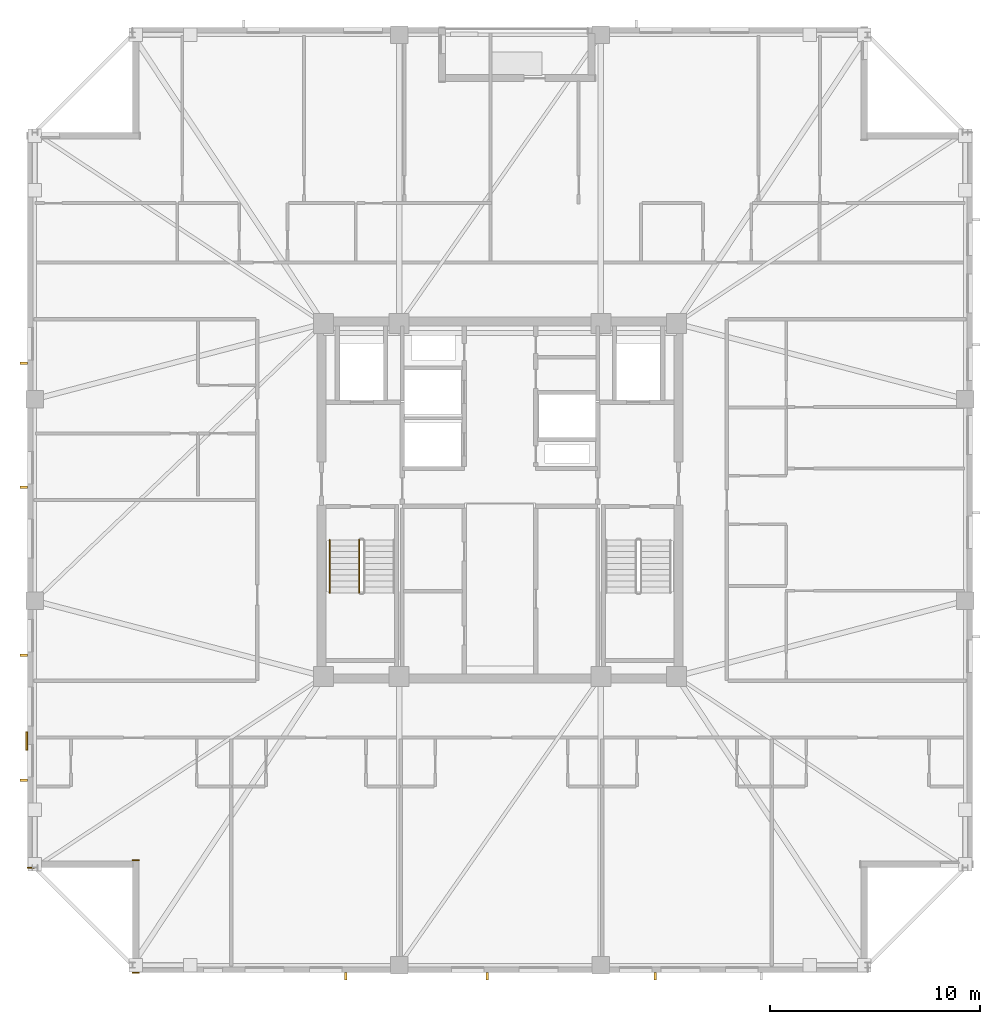
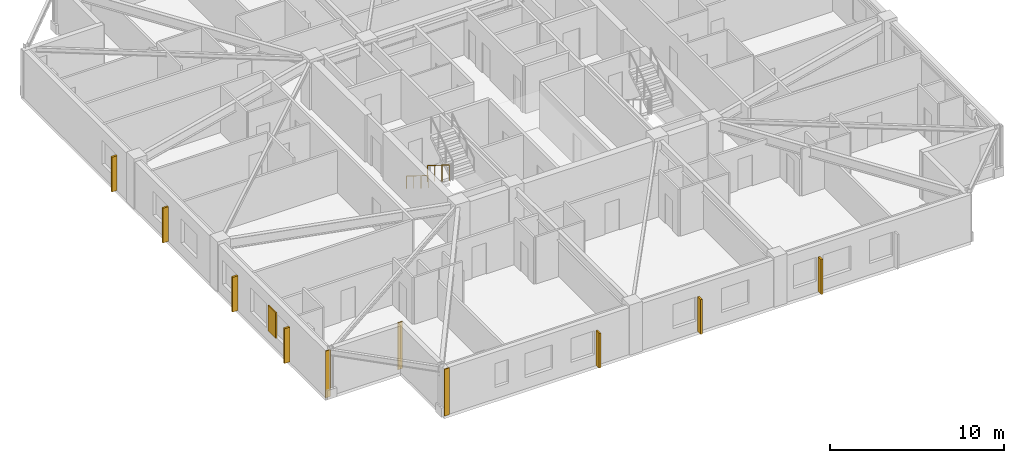
# One storey, part 13 of 17: 8 shading devices, 3 coverings, 2 railings.
"""IFC4 building model written with IfcOpenShell, lengths in metres."""

from ifc_helpers import new_model, si_unit, direction, frame, frame_2d, origin, origin_2d, place, context, subcontext, project, spatial, rectangle, circle, extrude, material, layer, layer_set, type_object, element, save


model = new_model("IFC4")

# Units and contexts
model_context = context("Model", 3, precision=1e-05, world=origin(), true_north=direction((0.0, 1.0)))
body_context = subcontext(model_context, "Body", "Model", "MODEL_VIEW")
ifc_project = project(units=[si_unit("LENGTHUNIT", "METRE"), si_unit("AREAUNIT", "SQUARE_METRE"), si_unit("VOLUMEUNIT", "CUBIC_METRE"), si_unit("PLANEANGLEUNIT", "RADIAN"), si_unit("MASSUNIT", "GRAM", prefix="KILO")], contexts=[model_context])

# Site, building, storey
site_placement = place(None, origin())
site = spatial("IfcSite", under=ifc_project, at=site_placement, CompositionType="ELEMENT")
building_placement = place(site_placement, origin())
building = spatial("IfcBuilding", under=site, at=building_placement, Name="Cairnveth Concourse Tower", CompositionType="ELEMENT")
storey_placement = place(building_placement, frame((0.0, 0.0, 213.0)))
storey = spatial("IfcBuildingStorey", under=building, at=storey_placement, Name="L58", CompositionType="ELEMENT", Elevation=213.0)

# Coverings
ifc_material_1 = material(Name="Dressed Melbourne Bluestone Cladding", Category="masonry")
ifc_layer = layer(ifc_material_1, 0.050048828125)
ifc_layer_set = layer_set([ifc_layer], Name="Dressed Melbourne Bluestone Cladding")
covering_type = type_object("IfcCoveringType", Name="DRESSED BLUESTONE PLINTH CLADDING 50", PredefinedType="CLADDING", material=ifc_layer_set)
for number, where, z_axis, x_axis, name in (
    (1, (34.820068359375, 16.47998046875, 0.0), (0.0, 0.0, 1.0), (-1.0, 0.0, 0.0), "Melbourne Bluestone Corner Quoin L58-870"),
    (2, (34.820068359375, 21.840087890625, 0.0), (0.0, 0.0, 1.0), (-1.0, 0.0, 0.0), "Melbourne Bluestone Corner Quoin L58-871"),
    (3, (29.820068359375, 21.47998046875, 0.0), (0.0, 0.0, 1.0), (-1.0, 0.0, 0.0), "Melbourne Bluestone Corner Quoin L58-872"),
):
    element("IfcCovering", number, at=place(storey_placement, frame(where, z_axis=z_axis, x_axis=x_axis)), inside=storey, type_object=covering_type, Name=name, PredefinedType="CLADDING", context=body_context, shape_type="SweptSolid", body=[
        extrude(rectangle(XDim=0.320068359375, YDim=0.050048828125, at=frame_2d((0.16015625, 0.0))), origin(), (0.0, 0.0, 1.0), 3.2900390625),
    ])

# Shading devices
ifc_material_2 = material(Name="Architectural Bronze Anodised Aluminium 6063-T6", Category="aluminium")
shading_device_type_1 = type_object("IfcShadingDeviceType", Name="GOTHIC BRONZE VERTICAL LANCET FIN", PredefinedType="USERDEFINED", material=ifc_material_2)
for number, where, z_axis, x_axis, name in (
    (4, (59.39697265625, 16.324951171875, 0.030029296875), (0.0, 0.0, 1.0), (1.0, 0.0, 0.0), "Gothic Bronze Vertical Fin L58-6-3"),
    (5, (51.396484375, 16.324951171875, 0.030029296875), (0.0, 0.0, 1.0), (1.0, 0.0, 0.0), "Gothic Bronze Vertical Fin L58-6-5"),
    (6, (44.64599609375, 16.324951171875, 0.030029296875), (0.0, 0.0, 1.0), (1.0, 0.0, 0.0), "Gothic Bronze Vertical Fin L58-6-7"),
    (7, (29.324951171875, 25.652587890625, 0.030029296875), (0.0, 0.0, 1.0), (0.0, 1.0, 0.0), "Gothic Bronze Vertical Fin L58-9-1"),
    (8, (29.324951171875, 31.60302734375, 0.030029296875), (0.0, 0.0, 1.0), (0.0, 1.0, 0.0), "Gothic Bronze Vertical Fin L58-9-3"),
    (9, (29.324951171875, 39.603515625, 0.030029296875), (0.0, 0.0, 1.0), (0.0, 1.0, 0.0), "Gothic Bronze Vertical Fin L58-9-5"),
    (10, (29.324951171875, 45.504150390625, 0.030029296875), (0.0, 0.0, 1.0), (0.0, 1.0, 0.0), "Gothic Bronze Vertical Fin L58-9-7"),
):
    element("IfcShadingDevice", number, at=place(storey_placement, frame(where, z_axis=z_axis, x_axis=x_axis)), inside=storey, type_object=shading_device_type_1, Name=name, ObjectType="VERTICAL FIN", PredefinedType="USERDEFINED", context=body_context, shape_type="SweptSolid", body=[
        extrude(rectangle(XDim=0.1201171875, YDim=0.360107421875, at=origin_2d()), origin(), (0.0, 0.0, 1.0), 2.43798828125),
    ])

# Railings
ifc_material_3 = material(Name="Steel Grade 350", Category="steel")
railing_type_1 = type_object("IfcRailingType", Name="STAIR GUARDRAIL 1150", PredefinedType="GUARDRAIL", material=ifc_material_3)
railing_1_placement = place(storey_placement, frame((45.2900390625, 37.10009765625, 0.175048828125)))
element("IfcRailing", 11, at=railing_1_placement, inside=storey, type_object=railing_type_1, Name="L58 ST-1 stair guard 1", PredefinedType="GUARDRAIL", context=body_context, shape_type="SweptSolid", body=[
    extrude(circle(Radius=0.02392578125, at=origin_2d()), frame((0.0, 0.0, 1.1259765625), z_axis=(0.0, -0.848007534815, 0.529984170421), x_axis=(1.0, 0.0, 0.0)), (0.0, 0.0, 1.0), 2.9716796875),
    extrude(circle(Radius=0.02099609375, at=origin_2d()), origin(), (0.0, 0.0, 1.0), 1.101806640625),
    extrude(circle(Radius=0.02099609375, at=origin_2d()), frame((0.0, -0.840087890625, 0.52490234375)), (0.0, 0.0, 1.0), 1.101806640625),
    extrude(circle(Radius=0.02099609375, at=origin_2d()), frame((0.0, -1.679931640625, 1.050048828125)), (0.0, 0.0, 1.0), 1.101806640625),
    extrude(circle(Radius=0.02099609375, at=origin_2d()), frame((0.0, -2.52001953125, 1.574951171875)), (0.0, 0.0, 1.0), 1.101806640625),
])
railing_type_2 = type_object("IfcRailingType", Name="STAIR WALL HANDRAIL 900", PredefinedType="HANDRAIL", material=ifc_material_3)
railing_2_placement = place(storey_placement, frame((43.889892578125, 37.10009765625, 0.175048828125)))
element("IfcRailing", 12, at=railing_2_placement, inside=storey, type_object=railing_type_2, Name="L58 ST-1 stair handrail 1", PredefinedType="HANDRAIL", context=body_context, shape_type="SweptSolid", body=[
    extrude(circle(Radius=0.02392578125, at=origin_2d()), frame((0.0, 0.0, 0.8759765625), z_axis=(0.0, -0.848007534815, 0.529984170421), x_axis=(1.0, 0.0, 0.0)), (0.0, 0.0, 1.0), 2.9716796875),
    extrude(circle(Radius=0.02099609375, at=origin_2d()), origin(), (0.0, 0.0, 1.0), 0.851806640625),
    extrude(circle(Radius=0.02099609375, at=origin_2d()), frame((0.0, -0.840087890625, 0.52490234375)), (0.0, 0.0, 1.0), 0.851806640625),
    extrude(circle(Radius=0.02099609375, at=origin_2d()), frame((0.0, -1.679931640625, 1.050048828125)), (0.0, 0.0, 1.0), 0.851806640625),
    extrude(circle(Radius=0.02099609375, at=origin_2d()), frame((0.0, -2.52001953125, 1.574951171875)), (0.0, 0.0, 1.0), 0.851806640625),
])

# Shading device
shading_device_type_2 = type_object("IfcShadingDeviceType", Name="WEST SOLAR PERFORATED SHUTTER", PredefinedType="SHUTTER", material=ifc_material_2)
shading_device_placement = place(storey_placement, frame((29.464111328125, 27.522705078125, 0.7998046875), z_axis=(0.0, 0.0, 1.0), x_axis=(1.0, 0.0, 0.0)))
element("IfcShadingDevice", 13, at=shading_device_placement, inside=storey, type_object=shading_device_type_2, Name="West Solar Shutter L58", PredefinedType="SHUTTER", context=body_context, shape_type="SweptSolid", body=[
    extrude(rectangle(XDim=0.080078125, YDim=0.89990234375, at=origin_2d()), origin(), (0.0, 0.0, 1.0), 1.800048828125),
])

save(model, "model.ifc")
